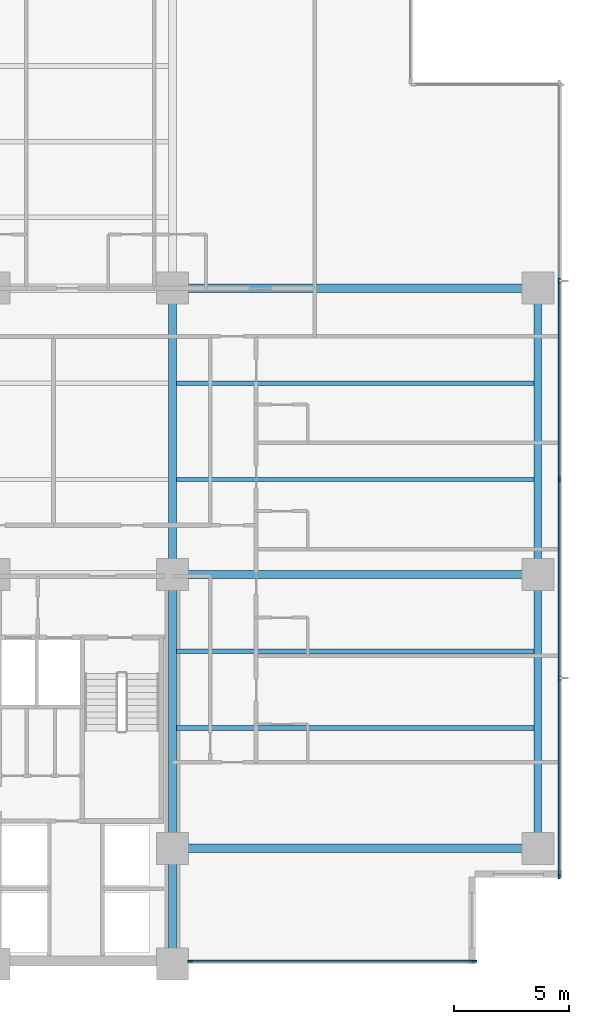
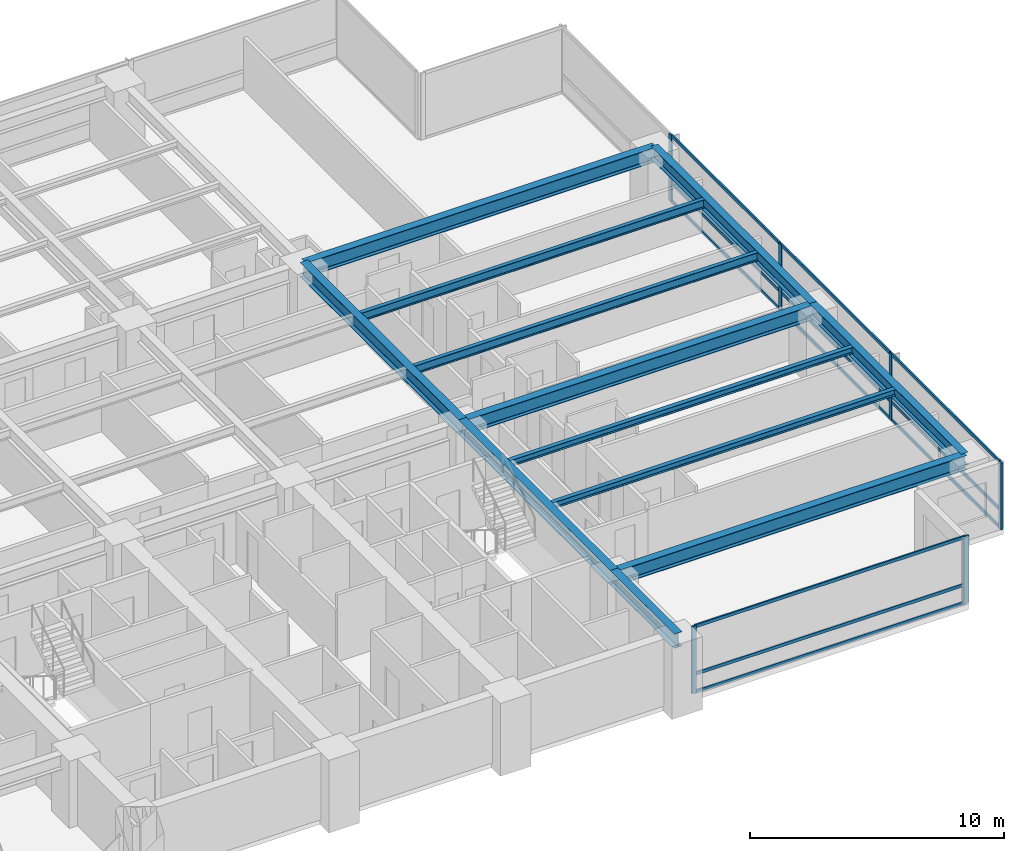
# One storey, part 3 of 18: 18 members, 12 beams, 2 elements without a shape of their own.
"""IFC4 building model written with IfcOpenShell, lengths in metres."""

from ifc_helpers import new_model, si_unit, direction, frame, origin, origin_2d, place, context, subcontext, project, spatial, rectangle, i_section, extrude, material, layer, layer_set, material_profile, profile_set, type_object, element, aggregate, save


model = new_model("IFC4")

# Units and contexts
model_context = context("Model", 3, precision=1e-05, world=origin(), true_north=direction((0.0, 1.0)))
body_context = subcontext(model_context, "Body", "Model", "MODEL_VIEW")
ifc_project = project(units=[si_unit("LENGTHUNIT", "METRE"), si_unit("AREAUNIT", "SQUARE_METRE"), si_unit("VOLUMEUNIT", "CUBIC_METRE"), si_unit("PLANEANGLEUNIT", "RADIAN"), si_unit("MASSUNIT", "GRAM", prefix="KILO")], contexts=[model_context])

# Site, building, storey
site_placement = place(None, origin())
site = spatial("IfcSite", under=ifc_project, at=site_placement, CompositionType="ELEMENT")
building_placement = place(site_placement, origin())
building = spatial("IfcBuilding", under=site, at=building_placement, Name="Qalmaran Belvedere Hotel", CompositionType="ELEMENT")
storey_placement = place(building_placement, frame((0.0, 0.0, 54.39990234375)))
storey = spatial("IfcBuildingStorey", under=building, at=storey_placement, Name="L13", CompositionType="ELEMENT", Elevation=54.39990234375)

# Beams
ifc_material_1 = material(Name="Steel S355JR", Category="steel")
ifc_material_profile_1 = material_profile(ifc_material_1, i_section(OverallWidth=0.202880859375, OverallDepth=0.302978515625, WebThickness=0.007568359375, FlangeThickness=0.01318359375, FilletRadius=0.012939453125, at=origin_2d()), Name="W310X60")
ifc_profile_set_1 = profile_set([ifc_material_profile_1], Name="Steel S355JR")
beam_type_1 = type_object("IfcBeamType", Name="BM-JST-W310X60", PredefinedType="JOIST", material=ifc_profile_set_1)
for number, where, z_axis, x_axis, name in (
    (1, (44.9755859375, 13.800048828125, 3.068603515625), (1.0, 0.0, 0.0), (0.0, 1.0, 0.0), "L13 East Wing Joist 039"),
    (2, (44.9755859375, 17.14990234375, 3.068603515625), (1.0, 0.0, 0.0), (0.0, 1.0, 0.0), "L13 East Wing Joist 041"),
):
    element("IfcBeam", number, at=place(storey_placement, frame(where, z_axis=z_axis, x_axis=x_axis)), inside=storey, type_object=beam_type_1, Name=name, PredefinedType="JOIST", context=body_context, shape_type="SweptSolid", body=[
        extrude(i_section(OverallWidth=0.202880859375, OverallDepth=0.302978515625, WebThickness=0.007568359375, FlangeThickness=0.01318359375, FilletRadius=0.012939453125, at=origin_2d()), origin(), (0.0, 0.0, 1.0), 15.61279296875),
    ])
ifc_material_profile_2 = material_profile(ifc_material_1, i_section(OverallWidth=0.180908203125, OverallDepth=0.4169921875, WebThickness=0.010986328125, FlangeThickness=0.018310546875, FilletRadius=0.014892578125, at=origin_2d()), Name="W410X85")
ifc_profile_set_2 = profile_set([ifc_material_profile_2], Name="Steel S355JR")
beam_type_2 = type_object("IfcBeamType", Name="BM-SB1-W410X85", PredefinedType="BEAM", material=ifc_profile_set_2)
for number, where, z_axis, x_axis, name in (
    (3, (44.9755859375, 24.64990234375, 3.01171875), (1.0, 0.0, 0.0), (0.0, 1.0, 0.0), "L13 East Secondary Beam 032"),
    (4, (44.9755859375, 28.85009765625, 3.01171875), (1.0, 0.0, 0.0), (0.0, 1.0, 0.0), "L13 East Secondary Beam 037"),
):
    element("IfcBeam", number, at=place(storey_placement, frame(where, z_axis=z_axis, x_axis=x_axis)), inside=storey, type_object=beam_type_2, Name=name, PredefinedType="BEAM", context=body_context, shape_type="SweptSolid", body=[
        extrude(i_section(OverallWidth=0.180908203125, OverallDepth=0.4169921875, WebThickness=0.010986328125, FlangeThickness=0.018310546875, FilletRadius=0.014892578125, at=origin_2d()), origin(), (0.0, 0.0, 1.0), 15.61279296875),
    ])
ifc_material_profile_3 = material_profile(ifc_material_1, i_section(OverallWidth=0.326904296875, OverallDepth=0.6220703125, WebThickness=0.015380859375, FlangeThickness=0.0244140625, FilletRadius=0.02001953125, at=origin_2d()), Name="W610X195")
ifc_profile_set_3 = profile_set([ifc_material_profile_3], Name="Steel S355JR")
beam_type_3 = type_object("IfcBeamType", Name="BM-SP1-W610X195", PredefinedType="SPANDREL", material=ifc_profile_set_3)
beam_1_placement = place(storey_placement, frame((60.75, 8.550048828125, 2.9091796875), z_axis=(0.0, 1.0, 0.0), x_axis=(-1.0, 0.0, 0.0)))
element("IfcBeam", 5, at=beam_1_placement, inside=storey, type_object=beam_type_3, Name="L13 Perimeter Spandrel 03", PredefinedType="SPANDREL", context=body_context, shape_type="SweptSolid", body=[
    extrude(i_section(OverallWidth=0.326904296875, OverallDepth=0.6220703125, WebThickness=0.015380859375, FlangeThickness=0.0244140625, FilletRadius=0.02001953125, at=origin_2d()), origin(), (0.0, 0.0, 1.0), 11.949951171875),
])
beam_2_placement = place(storey_placement, frame((60.75, 20.5, 2.9091796875), z_axis=(0.0, 1.0, 0.0), x_axis=(-1.0, 0.0, 0.0)))
element("IfcBeam", 6, at=beam_2_placement, inside=storey, type_object=beam_type_3, Name="L13 Perimeter Spandrel 04", PredefinedType="SPANDREL", context=body_context, shape_type="SweptSolid", body=[
    extrude(i_section(OverallWidth=0.326904296875, OverallDepth=0.6220703125, WebThickness=0.015380859375, FlangeThickness=0.0244140625, FilletRadius=0.02001953125, at=origin_2d()), origin(), (0.0, 0.0, 1.0), 12.5),
])
ifc_material_profile_4 = material_profile(ifc_material_1, i_section(OverallWidth=0.35498046875, OverallDepth=0.695068359375, WebThickness=0.015380859375, FlangeThickness=0.02490234375, FilletRadius=0.02197265625, at=origin_2d()), Name="W690X217")
ifc_profile_set_4 = profile_set([ifc_material_profile_4], Name="Steel S355JR")
beam_type_4 = type_object("IfcBeamType", Name="BM-Z1-W690X217", PredefinedType="USERDEFINED", material=ifc_profile_set_4)
beam_3_placement = place(storey_placement, frame((44.800048828125, 20.5, 2.87255859375), z_axis=(0.0, 1.0, 0.0), x_axis=(-1.0, 0.0, 0.0)))
element("IfcBeam", 7, at=beam_3_placement, inside=storey, type_object=beam_type_4, Name="L13 Mid-Plate N-S Girder 20", ObjectType="GIRDER", PredefinedType="USERDEFINED", context=body_context, shape_type="SweptSolid", body=[
    extrude(i_section(OverallWidth=0.35498046875, OverallDepth=0.695068359375, WebThickness=0.015380859375, FlangeThickness=0.02490234375, FilletRadius=0.02197265625, at=origin_2d()), origin(), (0.0, 0.0, 1.0), 12.5),
])
beam_4_placement = place(storey_placement, frame((44.800048828125, 3.5, 2.87255859375), z_axis=(0.0, 1.0, 0.0), x_axis=(-1.0, 0.0, 0.0)))
element("IfcBeam", 8, at=beam_4_placement, inside=storey, type_object=beam_type_4, Name="L13 East Core Edge Girder A", ObjectType="GIRDER", PredefinedType="USERDEFINED", context=body_context, shape_type="SweptSolid", body=[
    extrude(i_section(OverallWidth=0.35498046875, OverallDepth=0.695068359375, WebThickness=0.015380859375, FlangeThickness=0.02490234375, FilletRadius=0.02197265625, at=origin_2d()), origin(), (0.0, 0.0, 1.0), 5.050048828125),
])
beam_5_placement = place(storey_placement, frame((44.800048828125, 8.550048828125, 2.87255859375), z_axis=(0.0, 1.0, 0.0), x_axis=(-1.0, 0.0, 0.0)))
element("IfcBeam", 9, at=beam_5_placement, inside=storey, type_object=beam_type_4, Name="L13 East Core Edge Girder B", ObjectType="GIRDER", PredefinedType="USERDEFINED", context=body_context, shape_type="SweptSolid", body=[
    extrude(i_section(OverallWidth=0.35498046875, OverallDepth=0.695068359375, WebThickness=0.015380859375, FlangeThickness=0.02490234375, FilletRadius=0.02197265625, at=origin_2d()), origin(), (0.0, 0.0, 1.0), 11.949951171875),
])
for number, where, z_axis, x_axis, name in (
    (10, (44.800048828125, 8.550048828125, 2.87255859375), (1.0, 0.0, 0.0), (0.0, 1.0, 0.0), "L13 East Wing Girder 25"),
    (11, (44.800048828125, 20.5, 2.87255859375), (1.0, 0.0, 0.0), (0.0, 1.0, 0.0), "L13 East Wing Girder 26"),
    (12, (44.800048828125, 33.0, 2.87255859375), (1.0, 0.0, 0.0), (0.0, 1.0, 0.0), "L13 East Wing Girder 27"),
):
    element("IfcBeam", number, at=place(storey_placement, frame(where, z_axis=z_axis, x_axis=x_axis)), inside=storey, type_object=beam_type_4, Name=name, ObjectType="GIRDER", PredefinedType="USERDEFINED", context=body_context, shape_type="SweptSolid", body=[
        extrude(i_section(OverallWidth=0.35498046875, OverallDepth=0.695068359375, WebThickness=0.015380859375, FlangeThickness=0.02490234375, FilletRadius=0.02197265625, at=origin_2d()), origin(), (0.0, 0.0, 1.0), 15.949951171875),
    ])

# Curtain wall, members
ifc_material_2 = material(Name="Anodised Bronze Aluminium", Category="aluminium")
ifc_layer = layer(ifc_material_2, 0.2099609375, Name="Anodised Bronze Aluminium")
ifc_layer_set = layer_set([ifc_layer], Name="Anodised Bronze Aluminium")
curtain_wall_type = type_object("IfcCurtainWallType", Name="CW2-TOWER-LOWER", PredefinedType="NOTDEFINED", material=ifc_layer_set)
curtain_wall_1_placement = place(storey_placement, origin())
curtain_wall_1 = element("IfcCurtainWall", 13, at=curtain_wall_1_placement, inside=storey, type_object=curtain_wall_type, Name="L13 Curtain Wall CW2", PredefinedType="NOTDEFINED")
ifc_material_profile_5 = material_profile(ifc_material_2, rectangle(XDim=0.074951171875, YDim=0.219970703125, at=origin_2d()), Name="CWM75X220")
ifc_profile_set_5 = profile_set([ifc_material_profile_5], Name="Anodised Bronze Aluminium")
member_type_1 = type_object("IfcMemberType", Name="CWM-75X220", PredefinedType="MULLION", material=ifc_profile_set_5)
member_1_placement = place(storey_placement, frame((45.577392578125, 3.6201171875, 0.0), z_axis=(0.0, 0.0, 1.0), x_axis=(0.0, 1.0, 0.0)))
member_1 = element("IfcMember", 14, at=member_1_placement, type_object=member_type_1, Name="CW2 mullion 1", PredefinedType="MULLION", context=body_context, shape_type="SweptSolid", body=[
    extrude(rectangle(XDim=0.074951171875, YDim=0.219970703125, at=origin_2d()), origin(), (0.0, 0.0, 1.0), 3.22021484375),
])
member_2_placement = place(storey_placement, frame((57.96240234375, 3.6201171875, 0.0), z_axis=(0.0, 0.0, 1.0), x_axis=(0.0, 1.0, 0.0)))
member_2 = element("IfcMember", 15, at=member_2_placement, type_object=member_type_1, Name="CW2 mullion 2", PredefinedType="MULLION", context=body_context, shape_type="SweptSolid", body=[
    extrude(rectangle(XDim=0.074951171875, YDim=0.219970703125, at=origin_2d()), origin(), (0.0, 0.0, 1.0), 3.22021484375),
])

curtain_wall_2_placement = place(storey_placement, origin())
curtain_wall_2 = element("IfcCurtainWall", 16, at=curtain_wall_2_placement, inside=storey, type_object=curtain_wall_type, Name="L13 Curtain Wall CW2", PredefinedType="NOTDEFINED")
member_3_placement = place(storey_placement, frame((61.679931640625, 7.33740234375, 0.0), z_axis=(0.0, 0.0, 1.0), x_axis=(-1.0, 0.0, 0.0)))
member_3 = element("IfcMember", 17, at=member_3_placement, type_object=member_type_1, Name="CW2 mullion 1", PredefinedType="MULLION", context=body_context, shape_type="SweptSolid", body=[
    extrude(rectangle(XDim=0.074951171875, YDim=0.219970703125, at=origin_2d()), origin(), (0.0, 0.0, 1.0), 3.22021484375),
])
member_4_placement = place(storey_placement, frame((61.679931640625, 15.97509765625, 0.0), z_axis=(0.0, 0.0, 1.0), x_axis=(-1.0, 0.0, 0.0)))
member_4 = element("IfcMember", 18, at=member_4_placement, type_object=member_type_1, Name="CW2 mullion 2", PredefinedType="MULLION", context=body_context, shape_type="SweptSolid", body=[
    extrude(rectangle(XDim=0.074951171875, YDim=0.219970703125, at=origin_2d()), origin(), (0.0, 0.0, 1.0), 3.22021484375),
])
member_5_placement = place(storey_placement, frame((61.679931640625, 24.64990234375, 0.0), z_axis=(0.0, 0.0, 1.0), x_axis=(-1.0, 0.0, 0.0)))
member_5 = element("IfcMember", 19, at=member_5_placement, type_object=member_type_1, Name="CW2 mullion 3", PredefinedType="MULLION", context=body_context, shape_type="SweptSolid", body=[
    extrude(rectangle(XDim=0.074951171875, YDim=0.219970703125, at=origin_2d()), origin(), (0.0, 0.0, 1.0), 3.22021484375),
])
member_6_placement = place(storey_placement, frame((61.679931640625, 33.324951171875, 0.0), z_axis=(0.0, 0.0, 1.0), x_axis=(-1.0, 0.0, 0.0)))
member_6 = element("IfcMember", 20, at=member_6_placement, type_object=member_type_1, Name="CW2 mullion 4", PredefinedType="MULLION", context=body_context, shape_type="SweptSolid", body=[
    extrude(rectangle(XDim=0.074951171875, YDim=0.219970703125, at=origin_2d()), origin(), (0.0, 0.0, 1.0), 3.22021484375),
])

# Member
ifc_material_profile_6 = material_profile(ifc_material_2, rectangle(XDim=0.070068359375, YDim=0.14990234375, at=origin_2d()), Name="CWT70X150")
ifc_profile_set_6 = profile_set([ifc_material_profile_6], Name="Anodised Bronze Aluminium")
member_type_2 = type_object("IfcMemberType", Name="CWT-70X150", PredefinedType="USERDEFINED", material=ifc_profile_set_6)
member_7_placement = place(storey_placement, frame((45.614990234375, 3.6201171875, 0.03515625), z_axis=(1.0, 0.0, 0.0), x_axis=(0.0, 1.0, 0.0)))
member_7 = element("IfcMember", 21, at=member_7_placement, type_object=member_type_2, Name="CW2 transom 1.1", ObjectType="TRANSOM", PredefinedType="USERDEFINED", context=body_context, shape_type="SweptSolid", body=[
    extrude(rectangle(XDim=0.070068359375, YDim=0.14990234375, at=origin_2d()), origin(), (0.0, 0.0, 1.0), 12.31005859375),
])

member_8_placement = place(storey_placement, frame((45.614990234375, 3.6201171875, 0.901611328125), z_axis=(1.0, 0.0, 0.0), x_axis=(0.0, 1.0, 0.0)))
member_8 = element("IfcMember", 22, at=member_8_placement, type_object=member_type_2, Name="CW2 transom 1.2", ObjectType="TRANSOM", PredefinedType="USERDEFINED", context=body_context, shape_type="SweptSolid", body=[
    extrude(rectangle(XDim=0.070068359375, YDim=0.14990234375, at=origin_2d()), origin(), (0.0, 0.0, 1.0), 12.31005859375),
])

member_9_placement = place(storey_placement, frame((45.614990234375, 3.6201171875, 3.18505859375), z_axis=(1.0, 0.0, 0.0), x_axis=(0.0, 1.0, 0.0)))
member_9 = element("IfcMember", 23, at=member_9_placement, type_object=member_type_2, Name="CW2 transom 1.3", ObjectType="TRANSOM", PredefinedType="USERDEFINED", context=body_context, shape_type="SweptSolid", body=[
    extrude(rectangle(XDim=0.070068359375, YDim=0.14990234375, at=origin_2d()), origin(), (0.0, 0.0, 1.0), 12.31005859375),
])

aggregate(curtain_wall_1, [member_1, member_2, member_7, member_8, member_9])

member_10_placement = place(storey_placement, frame((61.679931640625, 7.375, 0.03515625), z_axis=(0.0, 1.0, 0.0), x_axis=(-1.0, 0.0, 0.0)))
member_10 = element("IfcMember", 24, at=member_10_placement, type_object=member_type_2, Name="CW2 transom 1.1", ObjectType="TRANSOM", PredefinedType="USERDEFINED", context=body_context, shape_type="SweptSolid", body=[
    extrude(rectangle(XDim=0.070068359375, YDim=0.14990234375, at=origin_2d()), origin(), (0.0, 0.0, 1.0), 8.5625),
])

member_11_placement = place(storey_placement, frame((61.679931640625, 7.375, 0.901611328125), z_axis=(0.0, 1.0, 0.0), x_axis=(-1.0, 0.0, 0.0)))
member_11 = element("IfcMember", 25, at=member_11_placement, type_object=member_type_2, Name="CW2 transom 1.2", ObjectType="TRANSOM", PredefinedType="USERDEFINED", context=body_context, shape_type="SweptSolid", body=[
    extrude(rectangle(XDim=0.070068359375, YDim=0.14990234375, at=origin_2d()), origin(), (0.0, 0.0, 1.0), 8.5625),
])

member_12_placement = place(storey_placement, frame((61.679931640625, 7.375, 3.18505859375), z_axis=(0.0, 1.0, 0.0), x_axis=(-1.0, 0.0, 0.0)))
member_12 = element("IfcMember", 26, at=member_12_placement, type_object=member_type_2, Name="CW2 transom 1.3", ObjectType="TRANSOM", PredefinedType="USERDEFINED", context=body_context, shape_type="SweptSolid", body=[
    extrude(rectangle(XDim=0.070068359375, YDim=0.14990234375, at=origin_2d()), origin(), (0.0, 0.0, 1.0), 8.5625),
])

member_13_placement = place(storey_placement, frame((61.679931640625, 16.012451171875, 0.03515625), z_axis=(0.0, 1.0, 0.0), x_axis=(-1.0, 0.0, 0.0)))
member_13 = element("IfcMember", 27, at=member_13_placement, type_object=member_type_2, Name="CW2 transom 2.1", ObjectType="TRANSOM", PredefinedType="USERDEFINED", context=body_context, shape_type="SweptSolid", body=[
    extrude(rectangle(XDim=0.070068359375, YDim=0.14990234375, at=origin_2d()), origin(), (0.0, 0.0, 1.0), 8.60009765625),
])

member_14_placement = place(storey_placement, frame((61.679931640625, 16.012451171875, 0.901611328125), z_axis=(0.0, 1.0, 0.0), x_axis=(-1.0, 0.0, 0.0)))
member_14 = element("IfcMember", 28, at=member_14_placement, type_object=member_type_2, Name="CW2 transom 2.2", ObjectType="TRANSOM", PredefinedType="USERDEFINED", context=body_context, shape_type="SweptSolid", body=[
    extrude(rectangle(XDim=0.070068359375, YDim=0.14990234375, at=origin_2d()), origin(), (0.0, 0.0, 1.0), 8.60009765625),
])

member_15_placement = place(storey_placement, frame((61.679931640625, 16.012451171875, 3.18505859375), z_axis=(0.0, 1.0, 0.0), x_axis=(-1.0, 0.0, 0.0)))
member_15 = element("IfcMember", 29, at=member_15_placement, type_object=member_type_2, Name="CW2 transom 2.3", ObjectType="TRANSOM", PredefinedType="USERDEFINED", context=body_context, shape_type="SweptSolid", body=[
    extrude(rectangle(XDim=0.070068359375, YDim=0.14990234375, at=origin_2d()), origin(), (0.0, 0.0, 1.0), 8.60009765625),
])

member_16_placement = place(storey_placement, frame((61.679931640625, 24.6875, 0.03515625), z_axis=(0.0, 1.0, 0.0), x_axis=(-1.0, 0.0, 0.0)))
member_16 = element("IfcMember", 30, at=member_16_placement, type_object=member_type_2, Name="CW2 transom 3.1", ObjectType="TRANSOM", PredefinedType="USERDEFINED", context=body_context, shape_type="SweptSolid", body=[
    extrude(rectangle(XDim=0.070068359375, YDim=0.14990234375, at=origin_2d()), origin(), (0.0, 0.0, 1.0), 8.60009765625),
])

member_17_placement = place(storey_placement, frame((61.679931640625, 24.6875, 0.901611328125), z_axis=(0.0, 1.0, 0.0), x_axis=(-1.0, 0.0, 0.0)))
member_17 = element("IfcMember", 31, at=member_17_placement, type_object=member_type_2, Name="CW2 transom 3.2", ObjectType="TRANSOM", PredefinedType="USERDEFINED", context=body_context, shape_type="SweptSolid", body=[
    extrude(rectangle(XDim=0.070068359375, YDim=0.14990234375, at=origin_2d()), origin(), (0.0, 0.0, 1.0), 8.60009765625),
])

member_18_placement = place(storey_placement, frame((61.679931640625, 24.6875, 3.18505859375), z_axis=(0.0, 1.0, 0.0), x_axis=(-1.0, 0.0, 0.0)))
member_18 = element("IfcMember", 32, at=member_18_placement, type_object=member_type_2, Name="CW2 transom 3.3", ObjectType="TRANSOM", PredefinedType="USERDEFINED", context=body_context, shape_type="SweptSolid", body=[
    extrude(rectangle(XDim=0.070068359375, YDim=0.14990234375, at=origin_2d()), origin(), (0.0, 0.0, 1.0), 8.60009765625),
])

aggregate(curtain_wall_2, [member_3, member_4, member_5, member_6, member_10, member_11, member_12, member_13, member_14, member_15, member_16, member_17, member_18])

save(model, "model.ifc")
